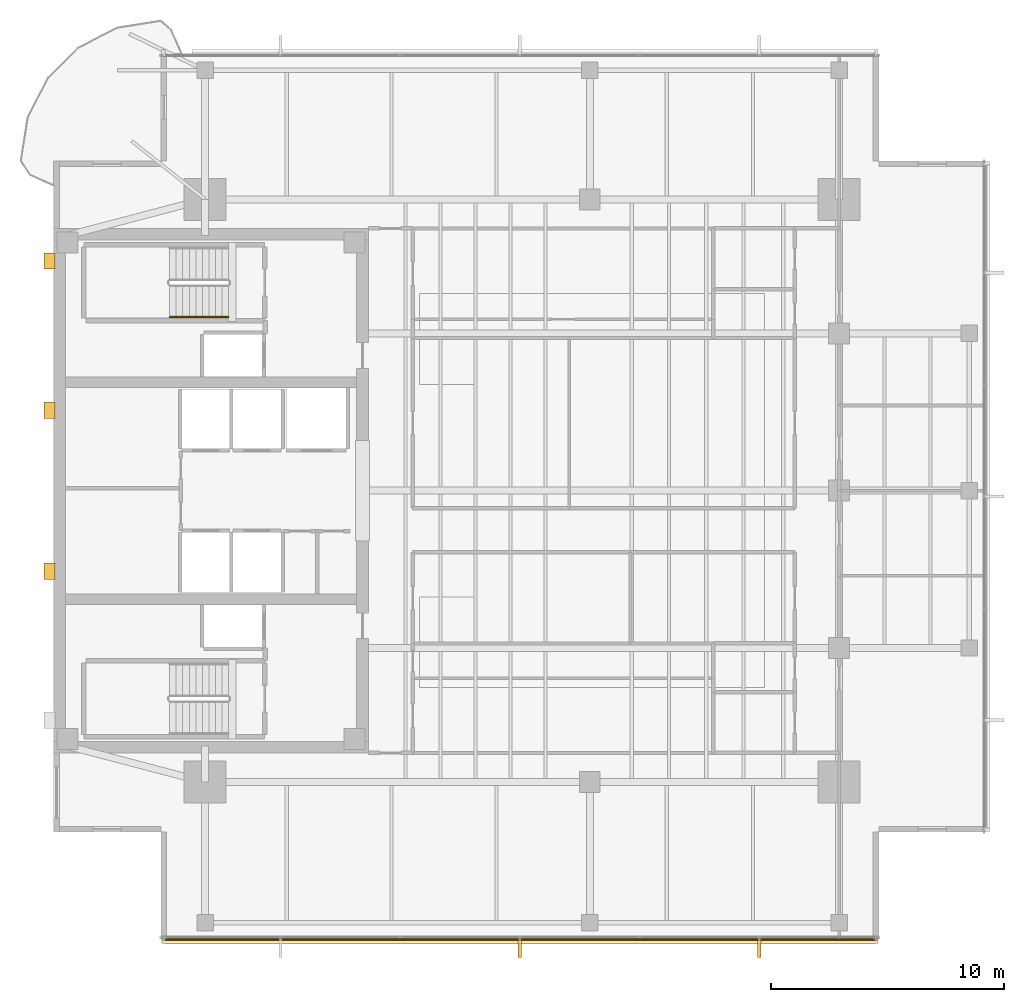
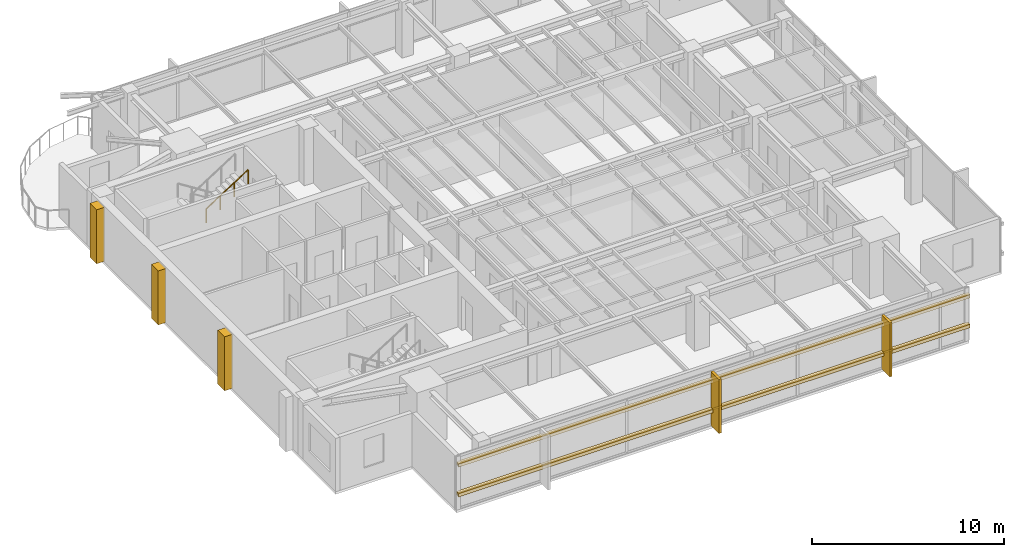
# One storey, part 12 of 14: 7 coverings, 2 shading devices, 1 railing.
"""IFC4 building model written with IfcOpenShell, lengths in metres."""

from ifc_helpers import new_model, si_unit, direction, frame, origin, origin_2d, place, context, subcontext, project, spatial, polyline, rectangle, circle, outline, extrude, material, layer, layer_set, material_profile, profile_set, type_object, element, save


model = new_model("IFC4")

# Units and contexts
model_context = context("Model", 3, precision=1e-05, world=origin(), true_north=direction((0.0, 1.0)))
body_context = subcontext(model_context, "Body", "Model", "MODEL_VIEW")
ifc_project = project(units=[si_unit("LENGTHUNIT", "METRE"), si_unit("AREAUNIT", "SQUARE_METRE"), si_unit("VOLUMEUNIT", "CUBIC_METRE"), si_unit("PLANEANGLEUNIT", "RADIAN"), si_unit("MASSUNIT", "GRAM", prefix="KILO")], contexts=[model_context])

# Site, building, storey
site_placement = place(None, origin())
site = spatial("IfcSite", under=ifc_project, at=site_placement, CompositionType="ELEMENT")
building_placement = place(site_placement, origin())
building = spatial("IfcBuilding", under=site, at=building_placement, Name="Kinhvarn Gate Tower", CompositionType="ELEMENT")
storey_placement = place(building_placement, frame((0.0, 0.0, 249.25)))
storey = spatial("IfcBuildingStorey", under=building, at=storey_placement, Name="L66", CompositionType="ELEMENT", Elevation=249.25)

# Coverings
ifc_material_1 = material(Name="Fired architectural terracotta", Category="masonry")
ifc_layer_1 = layer(ifc_material_1, 0.239990234375)
ifc_layer_set_1 = layer_set([ifc_layer_1], Name="Fired architectural terracotta")
covering_type_1 = type_object("IfcCoveringType", Name="COV-BAG-220", PredefinedType="CLADDING", material=ifc_layer_set_1)
for number, where, name in (
    (1, (0.0, 0.0, 0.93994140625), "Terracotta Horizontal Sunscreen Band TBG-220 (L66)"),
    (2, (0.0, 0.0, 2.830078125), "Terracotta Horizontal Sunscreen Band TBG-220 (L66)"),
):
    element("IfcCovering", number, at=place(storey_placement, frame(where)), inside=storey, type_object=covering_type_1, Name=name, PredefinedType="CLADDING", context=body_context, shape_type="SweptSolid", body=[
        extrude(outline(polyline([(9.139892578125, 6.070068359375), (39.860107421875, 6.070068359375), (39.860107421875, 5.830078125), (9.139892578125, 5.830078125), (9.139892578125, 6.070068359375)])), origin(), (0.0, 0.0, 1.0), 0.219970703125),
    ])
ifc_layer_2 = layer(ifc_material_1, 0.139892578125)
ifc_layer_set_2 = layer_set([ifc_layer_2], Name="Fired architectural terracotta")
covering_type_2 = type_object("IfcCoveringType", Name="COV-FIN-850", PredefinedType="CLADDING", material=ifc_layer_set_2)
covering_1_placement = place(storey_placement, frame((0.0, 0.0, -0.02001953125)))
element("IfcCovering", 3, at=covering_1_placement, inside=storey, type_object=covering_type_2, Name="Vertical Terracotta Expressive Fin TFN-850 (L66)", PredefinedType="CLADDING", context=body_context, shape_type="SweptSolid", body=[
    extrude(outline(polyline([(24.429931640625, 6.080078125), (24.570068359375, 6.080078125), (24.570068359375, 5.22998046875), (24.429931640625, 5.22998046875), (24.429931640625, 6.080078125)])), origin(), (0.0, 0.0, 1.0), 3.429931640625),
])
covering_2_placement = place(storey_placement, frame((0.0, 0.0, -0.02001953125)))
element("IfcCovering", 4, at=covering_2_placement, inside=storey, type_object=covering_type_2, Name="Vertical Terracotta Expressive Fin TFN-850 (L66)", PredefinedType="CLADDING", context=body_context, shape_type="SweptSolid", body=[
    extrude(outline(polyline([(34.69677734375, 6.080078125), (34.836669921875, 6.080078125), (34.836669921875, 5.22998046875), (34.69677734375, 5.22998046875), (34.69677734375, 6.080078125)])), origin(), (0.0, 0.0, 1.0), 3.429931640625),
])
ifc_material_2 = material(Name="Precast white architectural concrete C40/50", Category="concrete")
ifc_layer_3 = layer(ifc_material_2, 0.47998046875)
ifc_layer_set_3 = layer_set([ifc_layer_3], Name="Precast white architectural concrete C40/50")
covering_type_3 = type_object("IfcCoveringType", Name="COV-RIB-450", PredefinedType="CLADDING", material=ifc_layer_set_3)
covering_3_placement = place(storey_placement, frame((0.0, 0.0, -0.02001953125)))
element("IfcCovering", 5, at=covering_3_placement, inside=storey, type_object=covering_type_3, Name="West Core Sculptural Concrete Relief Rib CRB-450 (L66)", PredefinedType="CLADDING", context=body_context, shape_type="SweptSolid", body=[
    extrude(outline(polyline([(4.080078125, 21.449951171875), (4.56005859375, 21.449951171875), (4.56005859375, 22.14990234375), (4.080078125, 22.14990234375), (4.080078125, 21.449951171875)])), origin(), (0.0, 0.0, 1.0), 3.429931640625),
])
covering_4_placement = place(storey_placement, frame((0.0, 0.0, -0.02001953125)))
element("IfcCovering", 6, at=covering_4_placement, inside=storey, type_object=covering_type_3, Name="West Core Sculptural Concrete Relief Rib CRB-450 (L66)", PredefinedType="CLADDING", context=body_context, shape_type="SweptSolid", body=[
    extrude(outline(polyline([(4.080078125, 28.35009765625), (4.56005859375, 28.35009765625), (4.56005859375, 29.050048828125), (4.080078125, 29.050048828125), (4.080078125, 28.35009765625)])), origin(), (0.0, 0.0, 1.0), 3.429931640625),
])
covering_5_placement = place(storey_placement, frame((0.0, 0.0, -0.02001953125)))
element("IfcCovering", 7, at=covering_5_placement, inside=storey, type_object=covering_type_3, Name="West Core Sculptural Concrete Relief Rib CRB-450 (L66)", PredefinedType="CLADDING", context=body_context, shape_type="SweptSolid", body=[
    extrude(outline(polyline([(4.080078125, 34.75), (4.56005859375, 34.75), (4.56005859375, 35.449951171875), (4.080078125, 35.449951171875), (4.080078125, 34.75)])), origin(), (0.0, 0.0, 1.0), 3.429931640625),
])

# Railing
ifc_material_3 = material(Name="Steel S355", Category="steel")
railing_type = type_object("IfcRailingType", Name="RL-ST-HND", PredefinedType="HANDRAIL", material=ifc_material_3)
railing_placement = place(storey_placement, frame((9.47998046875, 32.699951171875, 1.952392578125)))
element("IfcRailing", 8, at=railing_placement, inside=storey, type_object=railing_type, Name="L66 ST2 stair handrail 2", PredefinedType="HANDRAIL", context=body_context, shape_type="SweptSolid", body=[
    extrude(circle(Radius=0.02392578125, at=origin_2d()), frame((0.0, 0.0, 0.8759765625), z_axis=(0.84456994832, 0.0, 0.535445237532), x_axis=(0.0, 1.0, 0.0)), (0.0, 0.0, 1.0), 2.98388671875),
    extrude(circle(Radius=0.02099609375, at=origin_2d()), origin(), (0.0, 0.0, 1.0), 0.851806640625),
    extrude(circle(Radius=0.02099609375, at=origin_2d()), frame((0.840087890625, 0.0, 0.532470703125)), (0.0, 0.0, 1.0), 0.851806640625),
    extrude(circle(Radius=0.02099609375, at=origin_2d()), frame((1.679931640625, 0.0, 1.065185546875)), (0.0, 0.0, 1.0), 0.851806640625),
    extrude(circle(Radius=0.02099609375, at=origin_2d()), frame((2.52001953125, 0.0, 1.59765625)), (0.0, 0.0, 1.0), 0.851806640625),
])

# Shading devices
ifc_material_profile = material_profile(ifc_material_1, rectangle(XDim=0.050048828125, YDim=0.1201171875, at=origin_2d()), Name="TC 50x120")
ifc_profile_set = profile_set([ifc_material_profile], Name="Fired architectural terracotta")
shading_device_type = type_object("IfcShadingDeviceType", Name="SHD-BAG-140", PredefinedType="USERDEFINED", material=ifc_profile_set)
for number, where, z_axis, x_axis, name in (
    (9, (9.139892578125, 6.0, 1.050048828125), (1.0, 0.0, 0.0), (0.0, 1.0, 0.0), "Upper Tower Terracotta Baguette Screen Rod 50x120 mm (L66)"),
    (10, (9.139892578125, 6.0, 2.93994140625), (1.0, 0.0, 0.0), (0.0, 1.0, 0.0), "Upper Tower Terracotta Baguette Screen Rod 50x120 mm (L66)"),
):
    element("IfcShadingDevice", number, at=place(storey_placement, frame(where, z_axis=z_axis, x_axis=x_axis)), inside=storey, type_object=shading_device_type, Name=name, ObjectType="BAGUETTE", PredefinedType="USERDEFINED", context=body_context, shape_type="SweptSolid", body=[
        extrude(rectangle(XDim=0.050048828125, YDim=0.1201171875, at=origin_2d()), origin(), (0.0, 0.0, 1.0), 30.72021484375),
    ])

save(model, "model.ifc")
